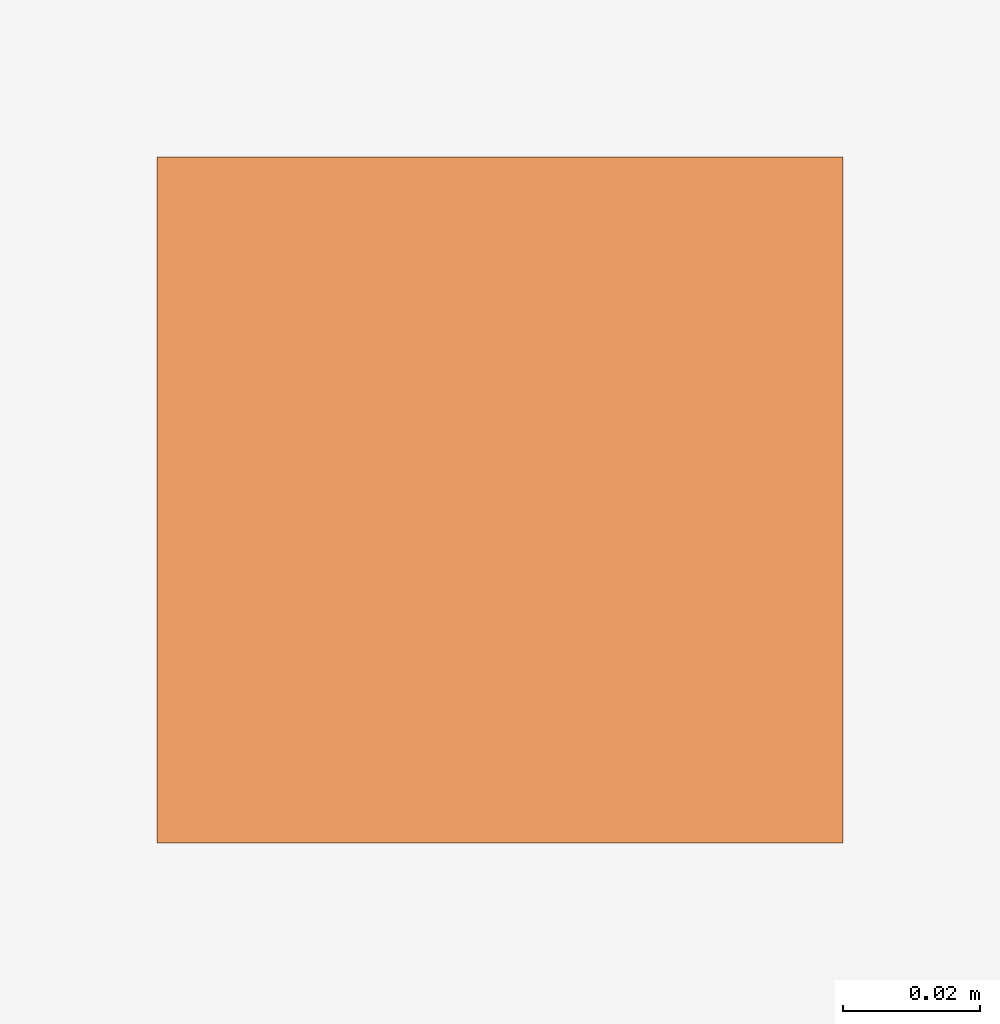
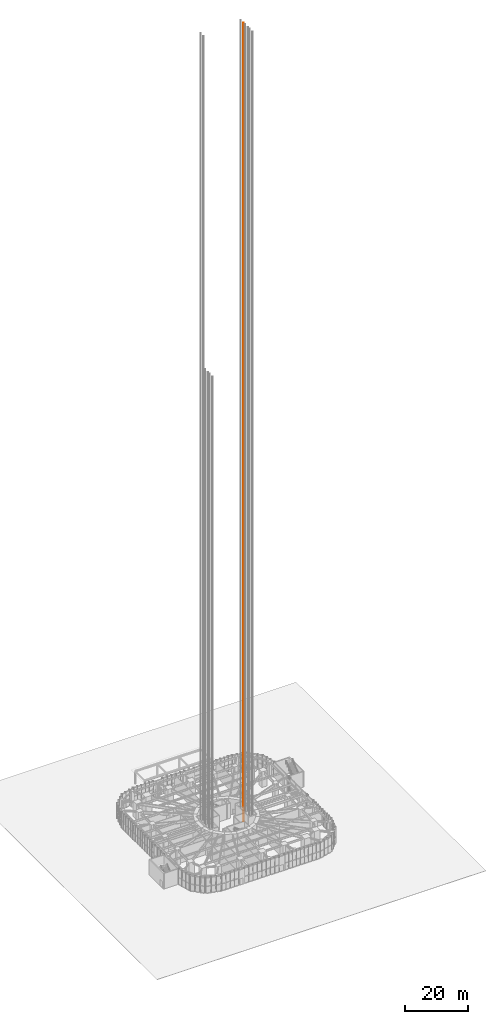
# One storey, part 42 of 43: 1 proxy.
"""IFC4 building model written with IfcOpenShell, lengths in metres."""

from ifc_helpers import new_model, si_unit, direction, frame, origin, origin_2d, place, context, subcontext, project, spatial, rectangle, extrude, material, type_object, element, save


model = new_model("IFC4")

# Units and contexts
model_context = context("Model", 3, precision=1e-05, world=origin(), true_north=direction((0.0, 1.0)))
body_context = subcontext(model_context, "Body", "Model", "MODEL_VIEW")
ifc_project = project(units=[si_unit("LENGTHUNIT", "METRE"), si_unit("AREAUNIT", "SQUARE_METRE"), si_unit("VOLUMEUNIT", "CUBIC_METRE"), si_unit("PLANEANGLEUNIT", "RADIAN"), si_unit("MASSUNIT", "GRAM", prefix="KILO")], contexts=[model_context])

# Site, building, storey
site_placement = place(None, origin())
site = spatial("IfcSite", under=ifc_project, at=site_placement, CompositionType="ELEMENT")
building_placement = place(site_placement, origin())
building = spatial("IfcBuilding", under=site, at=building_placement, Name="Nakasero Lantern House", CompositionType="ELEMENT")
storey_placement = place(building_placement, origin())
storey = spatial("IfcBuildingStorey", under=building, at=storey_placement, Name="L00", CompositionType="ELEMENT", Elevation=0.0)

# Proxy
ifc_material = material(Name="Steel S355", Category="steel")
building_element_proxy_type = type_object("IfcBuildingElementProxyType", Name="Lift guide rail", PredefinedType="ELEMENT", material=ifc_material)
proxy_placement = place(storey_placement, frame((7.300048828125, 1.89990234375, 0.0), z_axis=(0.0, 0.0, 1.0), x_axis=(1.0, 0.0, 0.0)))
element("IfcBuildingElementProxy", 1, at=proxy_placement, inside=storey, type_object=building_element_proxy_type, Name="Guide rail PLE3 1", PredefinedType="ELEMENT", context=body_context, shape_type="SweptSolid", body=[
    extrude(rectangle(XDim=0.10009765625, YDim=0.10009765625, at=origin_2d()), origin(), (0.0, 0.0, 1.0), 308.0),
])

save(model, "model.ifc")
